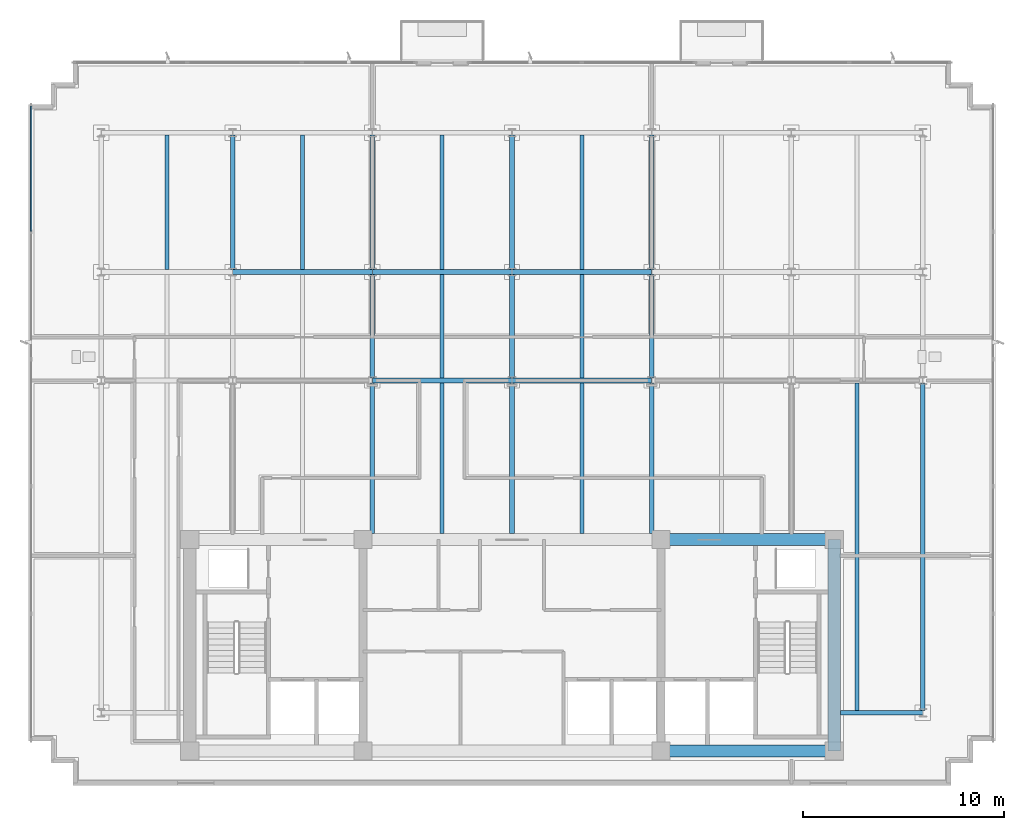
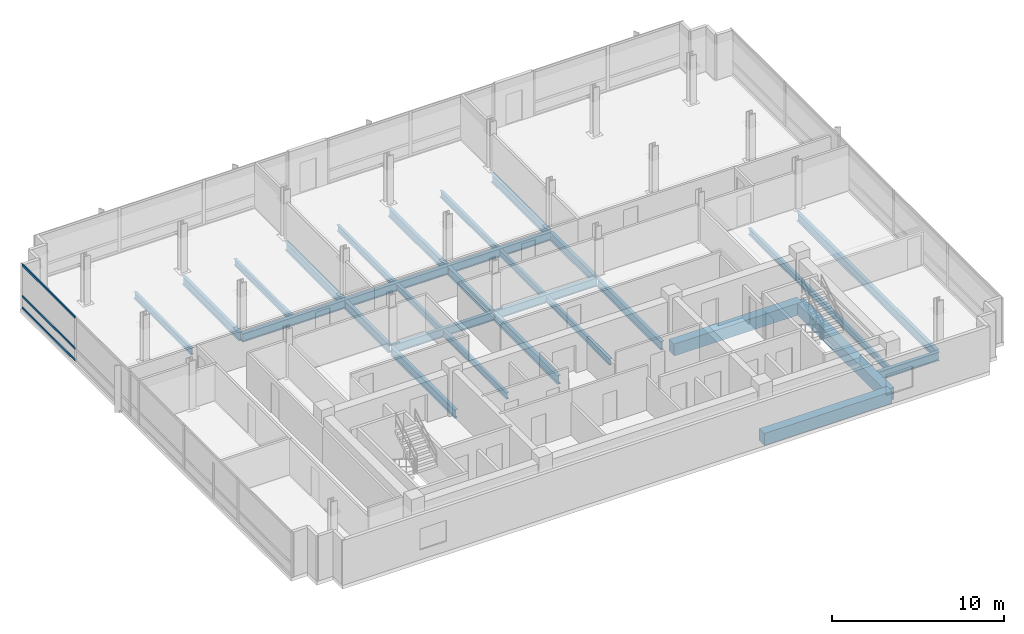
# One storey, part 3 of 15: 29 beams, 3 members, 1 element without a shape of its own.
"""IFC4 building model written with IfcOpenShell, lengths in metres."""

import ifcopenshell
import ifcopenshell.guid

model = None  # the IFC model being written
_history = None  # IfcOwnerHistory: only IFC2X3 demands one
_inside = {}  # id of a spatial element -> (the spatial element, [elements in it])
_under = {}  # id of a project, library or spatial element -> (it, [spatial elements below it])
_declared = {}  # id of a project -> (the project, [libraries it declares])
_typed = {}  # id of a type object -> (the type object, [elements of that type])
_made_of = {}  # id of a material, layer set ... -> (it, [elements and type objects made of it])


def new_model(schema):
    """Start an empty IFC model of exactly this schema.

    Asked for "IFC4X3", IfcOpenShell would pick the latest addendum, in which some entities
    have other attributes; the version numbers below select the first issue.
    IFC2X3 requires an IfcOwnerHistory on every rooted entity: one is made here for all.
    """
    global model, _history
    if schema == "IFC4X3":
        model = ifcopenshell.file(schema_version=(4, 3, 0, 0))
    else:
        model = ifcopenshell.file(schema=schema)
    _inside.clear()
    _under.clear()
    _declared.clear()
    _typed.clear()
    _made_of.clear()
    _history = None
    if model.schema == "IFC2X3":
        org = make("IfcOrganization", Name="unknown")
        user = make(
            "IfcPersonAndOrganization",
            ThePerson=make("IfcPerson", FamilyName="unknown"),
            TheOrganization=org,
        )
        app = make(
            "IfcApplication",
            ApplicationDeveloper=org,
            Version="unknown",
            ApplicationFullName="unknown",
            ApplicationIdentifier="unknown",
        )
        _history = make(
            "IfcOwnerHistory",
            OwningUser=user,
            OwningApplication=app,
            ChangeAction="ADDED",
            CreationDate=0,
        )
    return model


def make(cls, **values):
    """One entity of the class cls with the attributes given. An attribute that is None is left unset."""
    return model.create_entity(
        cls, **{name: value for name, value in values.items() if value is not None}
    )


def rooted(cls, **values):
    """An entity with a GlobalId (a new one), such as an element, a storey or a relation."""
    return make(cls, GlobalId=ifcopenshell.guid.new(), OwnerHistory=_history, **values)


def si_unit(unit_type, name, prefix=None):
    """IfcSIUnit, for example si_unit("LENGTHUNIT", "METRE", prefix="MILLI")."""
    return make("IfcSIUnit", UnitType=unit_type, Prefix=prefix, Name=name)


def assignment(units):
    """IfcUnitAssignment: the units of a project."""
    return None if units is None else make("IfcUnitAssignment", Units=units)


def point(xyz):
    """IfcCartesianPoint."""
    return None if xyz is None else make("IfcCartesianPoint", Coordinates=xyz)


def direction(xyz):
    """IfcDirection."""
    return None if xyz is None else make("IfcDirection", DirectionRatios=xyz)


def frame(location, z_axis=None, x_axis=None):
    """IfcAxis2Placement3D, a coordinate frame: its origin and axes. An axis left out is left unset."""
    return make(
        "IfcAxis2Placement3D",
        Location=point(location),
        Axis=direction(z_axis),
        RefDirection=direction(x_axis),
    )


def frame_2d(location, x_axis=None):
    """IfcAxis2Placement2D, a coordinate frame in the plane: its origin and x axis."""
    return make(
        "IfcAxis2Placement2D", Location=point(location), RefDirection=direction(x_axis)
    )


def origin():
    """The frame at (0, 0, 0) with its axes left unset."""
    return frame((0.0, 0.0, 0.0))


def origin_2d():
    """The frame at (0, 0) in the plane with its x axis left unset."""
    return frame_2d((0.0, 0.0))


def place(relative_to, where):
    """IfcLocalPlacement: puts the frame where relative to a parent placement (None: the world)."""
    return make(
        "IfcLocalPlacement", PlacementRelTo=relative_to, RelativePlacement=where
    )


def context(
    kind, dimensions, precision=None, world=None, true_north=None, identifier=None
):
    """IfcGeometricRepresentationContext, for example the 3D "Model" context."""
    return make(
        "IfcGeometricRepresentationContext",
        ContextIdentifier=identifier,
        ContextType=kind,
        CoordinateSpaceDimension=dimensions,
        Precision=precision,
        WorldCoordinateSystem=world,
        TrueNorth=true_north,
    )


def subcontext(parent, identifier, kind, view, scale=None):
    """IfcGeometricRepresentationSubContext, for example "Body" below "Model"."""
    return make(
        "IfcGeometricRepresentationSubContext",
        ContextIdentifier=identifier,
        ContextType=kind,
        ParentContext=parent,
        TargetScale=scale,
        TargetView=view,
    )


def project(units=None, contexts=None):
    """IfcProject with its units and contexts."""
    return rooted(
        "IfcProject",
        Name="project",
        RepresentationContexts=contexts,
        UnitsInContext=assignment(units),
    )


def spatial(cls, under=None, at=None, **own):
    """A site, building, storey or space (cls), placed at a placement, below another one or the project."""
    s = rooted(cls, ObjectPlacement=at, **own)
    if under is not None:
        _under.setdefault(under.id(), (under, []))[1].append(s)
    return s


def profile(cls, at=None, kind="AREA", **sizes):
    """A parametric profile (cls). Its sizes go by their IFC names, for example OverallWidth=200.0."""
    return make(cls, ProfileType=kind, Position=at, **sizes)


def rectangle(**sizes):
    """IfcRectangleProfileDef."""
    return profile("IfcRectangleProfileDef", **sizes)


def i_section(**sizes):
    """IfcIShapeProfileDef."""
    return profile("IfcIShapeProfileDef", **sizes)


def extrude(swept, where, along, depth):
    """IfcExtrudedAreaSolid: the profile swept, set in the frame where, extruded along a direction by depth."""
    return make(
        "IfcExtrudedAreaSolid",
        SweptArea=swept,
        Position=where,
        ExtrudedDirection=direction(along),
        Depth=depth,
    )


def shape(context_of_items, identifier, shape_type, items):
    """IfcShapeRepresentation: the items that make up one representation, for example the "Body"."""
    return make(
        "IfcShapeRepresentation",
        ContextOfItems=context_of_items,
        RepresentationIdentifier=identifier,
        RepresentationType=shape_type,
        Items=items,
    )


def material(Name=None, Category=None):
    """IfcMaterial."""
    return make("IfcMaterial", Name=Name, Category=Category)


def material_profile(
    of_material, cross_section, Name=None, Category=None, Priority=None
):
    """IfcMaterialProfile: a cross section and its material."""
    return make(
        "IfcMaterialProfile",
        Name=Name,
        Material=of_material,
        Profile=cross_section,
        Priority=Priority,
        Category=Category,
    )


def profile_set(profiles, Name=None, composite=None):
    """IfcMaterialProfileSet."""
    return make(
        "IfcMaterialProfileSet",
        Name=Name,
        MaterialProfiles=profiles,
        CompositeProfile=composite,
    )


def made_of(thing, what):
    """Note that an element or type object is made of a material, layer set ...; save() writes the relation."""
    if what is not None:
        _made_of.setdefault(what.id(), (what, []))[1].append(thing)
    return thing


def type_object(cls, material=None, **own):
    """A type object (cls), such as IfcWallType, which elements share."""
    return made_of(rooted(cls, **own), material)


def element(
    cls,
    number,
    at=None,
    inside=None,
    cuts=None,
    type_object=None,
    material=None,
    context=None,
    identifier="Body",
    shape_type=None,
    held_by="IfcProductDefinitionShape",
    body=None,
    shapes=None,
    **own,
):
    """One element of the class cls, such as IfcWall. Its Tag is "e" and its number.

    at: its placement. inside: the storey or other place that contains it. cuts: it is an
    opening in that element (IfcRelVoidsElement). A single representation is given by context,
    identifier, shape_type and body (its items); several are given by shapes. held_by: the class
    of the entity that holds the representations. save() writes the other relations.
    """
    e = rooted(cls, Tag="e%d" % number, ObjectPlacement=at, **own)
    if body is not None:
        shapes = [shape(context, identifier, shape_type, body)]
    if shapes is not None:
        e.Representation = make(held_by, Representations=shapes)
    if inside is not None:
        _inside.setdefault(inside.id(), (inside, []))[1].append(e)
    if cuts is not None:
        rooted(
            "IfcRelVoidsElement", RelatingBuildingElement=cuts, RelatedOpeningElement=e
        )
    if type_object is not None:
        _typed.setdefault(type_object.id(), (type_object, []))[1].append(e)
    return made_of(e, material)


def aggregate(whole, parts):
    """IfcRelAggregates: a whole, such as a stair, and the parts it consists of."""
    return rooted("IfcRelAggregates", RelatingObject=whole, RelatedObjects=parts)


def save(model, path):
    """Write the relations noted so far, then the file.

    IfcRelAggregates (storeys below a building ...), IfcRelContainedInSpatialStructure (elements
    in a storey), IfcRelDefinesByType, IfcRelAssociatesMaterial and IfcRelDeclares: one each for
    every whole, place, type object, material and project.
    """
    for whole, parts in _under.values():
        aggregate(whole, parts)
    for where, things in _inside.values():
        rooted(
            "IfcRelContainedInSpatialStructure",
            RelatedElements=things,
            RelatingStructure=where,
        )
    for kind, things in _typed.values():
        rooted("IfcRelDefinesByType", RelatedObjects=things, RelatingType=kind)
    for what, things in _made_of.values():
        rooted("IfcRelAssociatesMaterial", RelatedObjects=things, RelatingMaterial=what)
    for by, libraries in _declared.values():
        rooted("IfcRelDeclares", RelatingContext=by, RelatedDefinitions=libraries)
    model.write(path)


model = new_model("IFC4")

# Units and contexts
model_context = context("Model", 3, precision=1e-05, world=origin(), true_north=direction((0.0, 1.0)))
body_context = subcontext(model_context, "Body", "Model", "MODEL_VIEW")
ifc_project = project(units=[si_unit("LENGTHUNIT", "METRE"), si_unit("AREAUNIT", "SQUARE_METRE"), si_unit("VOLUMEUNIT", "CUBIC_METRE"), si_unit("PLANEANGLEUNIT", "RADIAN"), si_unit("MASSUNIT", "GRAM", prefix="KILO")], contexts=[model_context])

# Site, building, storey
site_placement = place(None, origin())
site = spatial("IfcSite", under=ifc_project, at=site_placement, CompositionType="ELEMENT")
building_placement = place(site_placement, origin())
building = spatial("IfcBuilding", under=site, at=building_placement, Name="Solmavex Isthmus Hotel", CompositionType="ELEMENT")
storey_placement = place(building_placement, frame((0.0, 0.0, 273.0)))
storey = spatial("IfcBuildingStorey", under=building, at=storey_placement, Name="L74", CompositionType="ELEMENT", Elevation=273.0)

# Beams
ifc_material_1 = material(Name="Steel ASTM A992 Grade 50", Category="steel")
ifc_material_profile_1 = material_profile(ifc_material_1, i_section(OverallWidth=0.1904296875, OverallDepth=0.456787109375, WebThickness=0.009033203125, FlangeThickness=0.014404296875, FilletRadius=0.0126953125, at=origin_2d()), Name="W18X50")
ifc_profile_set_1 = profile_set([ifc_material_profile_1], Name="Steel ASTM A992 Grade 50")
beam_type_1 = type_object("IfcBeamType", Name="BM-BJ-W18X50", PredefinedType="JOIST", material=ifc_profile_set_1)
for number, where, z_axis, x_axis, name in (
    (1, (-17.135986328125, 10.90185546875, -0.488525390625), (0.0, 1.0, 0.0), (-1.0, 0.0, 0.0), "Secondary Floor Joist L74-J03"),
    (2, (-10.404052734375, 10.90185546875, -0.488525390625), (0.0, 1.0, 0.0), (-1.0, 0.0, 0.0), "Secondary Floor Joist L74-J06"),
):
    element("IfcBeam", number, at=place(storey_placement, frame(where, z_axis=z_axis, x_axis=x_axis)), inside=storey, type_object=beam_type_1, Name=name, PredefinedType="JOIST", context=body_context, shape_type="SweptSolid", body=[
        extrude(i_section(OverallWidth=0.1904296875, OverallDepth=0.456787109375, WebThickness=0.009033203125, FlangeThickness=0.014404296875, FilletRadius=0.0126953125, at=origin_2d()), origin(), (0.0, 0.0, 1.0), 6.682861328125),
    ])
beam_1_placement = place(storey_placement, frame((-3.468017578125, -2.199951171875, -0.488525390625), z_axis=(0.0, 1.0, 0.0), x_axis=(-1.0, 0.0, 0.0)))
element("IfcBeam", 3, at=beam_1_placement, inside=storey, type_object=beam_type_1, Name="Secondary Floor Joist L74-J07", PredefinedType="JOIST", context=body_context, shape_type="SweptSolid", body=[
    extrude(i_section(OverallWidth=0.1904296875, OverallDepth=0.456787109375, WebThickness=0.009033203125, FlangeThickness=0.014404296875, FilletRadius=0.0126953125, at=origin_2d()), origin(), (0.0, 0.0, 1.0), 7.486083984375),
])
beam_2_placement = place(storey_placement, frame((-3.468017578125, 5.513916015625, -0.488525390625), z_axis=(0.0, 1.0, 0.0), x_axis=(-1.0, 0.0, 0.0)))
element("IfcBeam", 4, at=beam_2_placement, inside=storey, type_object=beam_type_1, Name="Secondary Floor Joist L74-J08", PredefinedType="JOIST", context=body_context, shape_type="SweptSolid", body=[
    extrude(i_section(OverallWidth=0.1904296875, OverallDepth=0.456787109375, WebThickness=0.009033203125, FlangeThickness=0.014404296875, FilletRadius=0.0126953125, at=origin_2d()), origin(), (0.0, 0.0, 1.0), 5.16015625),
])
beam_3_placement = place(storey_placement, frame((-3.468017578125, 10.90185546875, -0.488525390625), z_axis=(0.0, 1.0, 0.0), x_axis=(-1.0, 0.0, 0.0)))
element("IfcBeam", 5, at=beam_3_placement, inside=storey, type_object=beam_type_1, Name="Secondary Floor Joist L74-J09", PredefinedType="JOIST", context=body_context, shape_type="SweptSolid", body=[
    extrude(i_section(OverallWidth=0.1904296875, OverallDepth=0.456787109375, WebThickness=0.009033203125, FlangeThickness=0.014404296875, FilletRadius=0.0126953125, at=origin_2d()), origin(), (0.0, 0.0, 1.0), 6.682861328125),
])
beam_4_placement = place(storey_placement, frame((3.468017578125, -2.199951171875, -0.488525390625), z_axis=(0.0, 1.0, 0.0), x_axis=(-1.0, 0.0, 0.0)))
element("IfcBeam", 6, at=beam_4_placement, inside=storey, type_object=beam_type_1, Name="Secondary Floor Joist L74-J10", PredefinedType="JOIST", context=body_context, shape_type="SweptSolid", body=[
    extrude(i_section(OverallWidth=0.1904296875, OverallDepth=0.456787109375, WebThickness=0.009033203125, FlangeThickness=0.014404296875, FilletRadius=0.0126953125, at=origin_2d()), origin(), (0.0, 0.0, 1.0), 7.486083984375),
])
beam_5_placement = place(storey_placement, frame((3.468017578125, 5.513916015625, -0.488525390625), z_axis=(0.0, 1.0, 0.0), x_axis=(-1.0, 0.0, 0.0)))
element("IfcBeam", 7, at=beam_5_placement, inside=storey, type_object=beam_type_1, Name="Secondary Floor Joist L74-J11", PredefinedType="JOIST", context=body_context, shape_type="SweptSolid", body=[
    extrude(i_section(OverallWidth=0.1904296875, OverallDepth=0.456787109375, WebThickness=0.009033203125, FlangeThickness=0.014404296875, FilletRadius=0.0126953125, at=origin_2d()), origin(), (0.0, 0.0, 1.0), 5.16015625),
])
beam_6_placement = place(storey_placement, frame((3.468017578125, 10.90185546875, -0.488525390625), z_axis=(0.0, 1.0, 0.0), x_axis=(-1.0, 0.0, 0.0)))
element("IfcBeam", 8, at=beam_6_placement, inside=storey, type_object=beam_type_1, Name="Secondary Floor Joist L74-J12", PredefinedType="JOIST", context=body_context, shape_type="SweptSolid", body=[
    extrude(i_section(OverallWidth=0.1904296875, OverallDepth=0.456787109375, WebThickness=0.009033203125, FlangeThickness=0.014404296875, FilletRadius=0.0126953125, at=origin_2d()), origin(), (0.0, 0.0, 1.0), 6.682861328125),
])
beam_7_placement = place(storey_placement, frame((17.135986328125, -10.98486328125, -0.488525390625), z_axis=(0.0, 1.0, 0.0), x_axis=(-1.0, 0.0, 0.0)))
element("IfcBeam", 9, at=beam_7_placement, inside=storey, type_object=beam_type_1, Name="Secondary Floor Joist L74-J16", PredefinedType="JOIST", context=body_context, shape_type="SweptSolid", body=[
    extrude(i_section(OverallWidth=0.1904296875, OverallDepth=0.456787109375, WebThickness=0.009033203125, FlangeThickness=0.014404296875, FilletRadius=0.0126953125, at=origin_2d()), origin(), (0.0, 0.0, 1.0), 16.27099609375),
])
ifc_material_profile_2 = material_profile(ifc_material_1, i_section(OverallWidth=0.227783203125, OverallDepth=0.602783203125, WebThickness=0.010498046875, FlangeThickness=0.014892578125, FilletRadius=0.01513671875, at=origin_2d()), Name="W24X68")
ifc_profile_set_2 = profile_set([ifc_material_profile_2], Name="Steel ASTM A992 Grade 50")
beam_type_2 = type_object("IfcBeamType", Name="BM-BM-W24X68", PredefinedType="BEAM", material=ifc_profile_set_2)
for number, where, z_axis, x_axis, name in (
    (10, (-6.93603515625, 5.39990234375, -0.561279296875), (1.0, 0.0, 0.0), (0.0, 1.0, 0.0), "Floor Girder L74-UG05"),
    (11, (0.0, 5.39990234375, -0.561279296875), (1.0, 0.0, 0.0), (0.0, 1.0, 0.0), "Floor Girder L74-UG06"),
    (12, (-13.8720703125, 10.7880859375, -0.561279296875), (1.0, 0.0, 0.0), (0.0, 1.0, 0.0), "Floor Girder L74-UG10"),
    (13, (-6.93603515625, 10.7880859375, -0.561279296875), (1.0, 0.0, 0.0), (0.0, 1.0, 0.0), "Floor Girder L74-UG11"),
    (14, (0.0, 10.7880859375, -0.561279296875), (1.0, 0.0, 0.0), (0.0, 1.0, 0.0), "Floor Girder L74-UG12"),
):
    element("IfcBeam", number, at=place(storey_placement, frame(where, z_axis=z_axis, x_axis=x_axis)), inside=storey, type_object=beam_type_2, Name=name, PredefinedType="BEAM", context=body_context, shape_type="SweptSolid", body=[
        extrude(i_section(OverallWidth=0.227783203125, OverallDepth=0.602783203125, WebThickness=0.010498046875, FlangeThickness=0.014892578125, FilletRadius=0.01513671875, at=origin_2d()), origin(), (0.0, 0.0, 1.0), 6.93603515625),
    ])
beam_8_placement = place(storey_placement, frame((-13.8720703125, 10.90185546875, -0.561279296875), z_axis=(0.0, 1.0, 0.0), x_axis=(-1.0, 0.0, 0.0)))
element("IfcBeam", 15, at=beam_8_placement, inside=storey, type_object=beam_type_2, Name="Floor Beam L74-VG26", PredefinedType="BEAM", context=body_context, shape_type="SweptSolid", body=[
    extrude(i_section(OverallWidth=0.227783203125, OverallDepth=0.602783203125, WebThickness=0.010498046875, FlangeThickness=0.014892578125, FilletRadius=0.01513671875, at=origin_2d()), origin(), (0.0, 0.0, 1.0), 6.682861328125),
])
beam_9_placement = place(storey_placement, frame((-6.93603515625, -2.199951171875, -0.561279296875), z_axis=(0.0, 1.0, 0.0), x_axis=(-1.0, 0.0, 0.0)))
element("IfcBeam", 16, at=beam_9_placement, inside=storey, type_object=beam_type_2, Name="Floor Beam L74-VG27", PredefinedType="BEAM", context=body_context, shape_type="SweptSolid", body=[
    extrude(i_section(OverallWidth=0.227783203125, OverallDepth=0.602783203125, WebThickness=0.010498046875, FlangeThickness=0.014892578125, FilletRadius=0.01513671875, at=origin_2d()), origin(), (0.0, 0.0, 1.0), 7.486083984375),
])
beam_10_placement = place(storey_placement, frame((-6.93603515625, 5.513916015625, -0.561279296875), z_axis=(0.0, 1.0, 0.0), x_axis=(-1.0, 0.0, 0.0)))
element("IfcBeam", 17, at=beam_10_placement, inside=storey, type_object=beam_type_2, Name="Floor Beam L74-VG28", PredefinedType="BEAM", context=body_context, shape_type="SweptSolid", body=[
    extrude(i_section(OverallWidth=0.227783203125, OverallDepth=0.602783203125, WebThickness=0.010498046875, FlangeThickness=0.014892578125, FilletRadius=0.01513671875, at=origin_2d()), origin(), (0.0, 0.0, 1.0), 5.16015625),
])
beam_11_placement = place(storey_placement, frame((-6.93603515625, 10.90185546875, -0.561279296875), z_axis=(0.0, 1.0, 0.0), x_axis=(-1.0, 0.0, 0.0)))
element("IfcBeam", 18, at=beam_11_placement, inside=storey, type_object=beam_type_2, Name="Floor Beam L74-VG29", PredefinedType="BEAM", context=body_context, shape_type="SweptSolid", body=[
    extrude(i_section(OverallWidth=0.227783203125, OverallDepth=0.602783203125, WebThickness=0.010498046875, FlangeThickness=0.014892578125, FilletRadius=0.01513671875, at=origin_2d()), origin(), (0.0, 0.0, 1.0), 6.682861328125),
])
beam_12_placement = place(storey_placement, frame((0.0, -2.199951171875, -0.561279296875), z_axis=(0.0, 1.0, 0.0), x_axis=(-1.0, 0.0, 0.0)))
element("IfcBeam", 19, at=beam_12_placement, inside=storey, type_object=beam_type_2, Name="Floor Beam L74-VG30", PredefinedType="BEAM", context=body_context, shape_type="SweptSolid", body=[
    extrude(i_section(OverallWidth=0.227783203125, OverallDepth=0.602783203125, WebThickness=0.010498046875, FlangeThickness=0.014892578125, FilletRadius=0.01513671875, at=origin_2d()), origin(), (0.0, 0.0, 1.0), 7.486083984375),
])
beam_13_placement = place(storey_placement, frame((0.0, 5.513916015625, -0.561279296875), z_axis=(0.0, 1.0, 0.0), x_axis=(-1.0, 0.0, 0.0)))
element("IfcBeam", 20, at=beam_13_placement, inside=storey, type_object=beam_type_2, Name="Floor Beam L74-VG31", PredefinedType="BEAM", context=body_context, shape_type="SweptSolid", body=[
    extrude(i_section(OverallWidth=0.227783203125, OverallDepth=0.602783203125, WebThickness=0.010498046875, FlangeThickness=0.014892578125, FilletRadius=0.01513671875, at=origin_2d()), origin(), (0.0, 0.0, 1.0), 5.16015625),
])
beam_14_placement = place(storey_placement, frame((0.0, 10.90185546875, -0.561279296875), z_axis=(0.0, 1.0, 0.0), x_axis=(-1.0, 0.0, 0.0)))
element("IfcBeam", 21, at=beam_14_placement, inside=storey, type_object=beam_type_2, Name="Floor Beam L74-VG32", PredefinedType="BEAM", context=body_context, shape_type="SweptSolid", body=[
    extrude(i_section(OverallWidth=0.227783203125, OverallDepth=0.602783203125, WebThickness=0.010498046875, FlangeThickness=0.014892578125, FilletRadius=0.01513671875, at=origin_2d()), origin(), (0.0, 0.0, 1.0), 6.682861328125),
])
beam_15_placement = place(storey_placement, frame((6.93603515625, -2.199951171875, -0.561279296875), z_axis=(0.0, 1.0, 0.0), x_axis=(-1.0, 0.0, 0.0)))
element("IfcBeam", 22, at=beam_15_placement, inside=storey, type_object=beam_type_2, Name="Floor Beam L74-VG33", PredefinedType="BEAM", context=body_context, shape_type="SweptSolid", body=[
    extrude(i_section(OverallWidth=0.227783203125, OverallDepth=0.602783203125, WebThickness=0.010498046875, FlangeThickness=0.014892578125, FilletRadius=0.01513671875, at=origin_2d()), origin(), (0.0, 0.0, 1.0), 7.486083984375),
])
beam_16_placement = place(storey_placement, frame((6.93603515625, 5.513916015625, -0.561279296875), z_axis=(0.0, 1.0, 0.0), x_axis=(-1.0, 0.0, 0.0)))
element("IfcBeam", 23, at=beam_16_placement, inside=storey, type_object=beam_type_2, Name="Floor Beam L74-VG34", PredefinedType="BEAM", context=body_context, shape_type="SweptSolid", body=[
    extrude(i_section(OverallWidth=0.227783203125, OverallDepth=0.602783203125, WebThickness=0.010498046875, FlangeThickness=0.014892578125, FilletRadius=0.01513671875, at=origin_2d()), origin(), (0.0, 0.0, 1.0), 5.16015625),
])
beam_17_placement = place(storey_placement, frame((6.93603515625, 10.90185546875, -0.561279296875), z_axis=(0.0, 1.0, 0.0), x_axis=(-1.0, 0.0, 0.0)))
element("IfcBeam", 24, at=beam_17_placement, inside=storey, type_object=beam_type_2, Name="Floor Beam L74-VG35", PredefinedType="BEAM", context=body_context, shape_type="SweptSolid", body=[
    extrude(i_section(OverallWidth=0.227783203125, OverallDepth=0.602783203125, WebThickness=0.010498046875, FlangeThickness=0.014892578125, FilletRadius=0.01513671875, at=origin_2d()), origin(), (0.0, 0.0, 1.0), 6.682861328125),
])
ifc_material_2 = material(Name="Concrete C50/60", Category="concrete")
ifc_material_profile_3 = material_profile(ifc_material_2, rectangle(XDim=0.60009765625, YDim=0.85009765625, at=origin_2d()), Name="RC600X850")
ifc_profile_set_3 = profile_set([ifc_material_profile_3], Name="Concrete C50/60")
beam_type_3 = type_object("IfcBeamType", Name="BM-CB-600X850", PredefinedType="BEAM", material=ifc_profile_set_3)
for number, where, z_axis, x_axis, name in (
    (25, (7.39990234375, -13.0, -0.68505859375), (1.0, 0.0, 0.0), (0.0, 1.0, 0.0), "Core Coupling Beam L74-CB3"),
    (26, (7.39990234375, -2.5, -0.68505859375), (1.0, 0.0, 0.0), (0.0, 1.0, 0.0), "Core Coupling Beam L74-CB6"),
):
    element("IfcBeam", number, at=place(storey_placement, frame(where, z_axis=z_axis, x_axis=x_axis)), inside=storey, type_object=beam_type_3, Name=name, PredefinedType="BEAM", context=body_context, shape_type="SweptSolid", body=[
        extrude(rectangle(XDim=0.60009765625, YDim=0.85009765625, at=origin_2d()), origin(), (0.0, 0.0, 1.0), 8.60009765625),
    ])
beam_18_placement = place(storey_placement, frame((16.0, -13.0, -0.68505859375), z_axis=(0.0, 1.0, 0.0), x_axis=(-1.0, 0.0, 0.0)))
element("IfcBeam", 27, at=beam_18_placement, inside=storey, type_object=beam_type_3, Name="Core Coupling Beam L74-CB8", PredefinedType="BEAM", context=body_context, shape_type="SweptSolid", body=[
    extrude(rectangle(XDim=0.60009765625, YDim=0.85009765625, at=origin_2d()), origin(), (0.0, 0.0, 1.0), 10.5),
])
ifc_material_profile_4 = material_profile(ifc_material_1, i_section(OverallWidth=0.230224609375, OverallDepth=0.617431640625, WebThickness=0.01318359375, FlangeThickness=0.022216796875, FilletRadius=0.01513671875, at=origin_2d()), Name="W24X94")
ifc_profile_set_4 = profile_set([ifc_material_profile_4], Name="Steel ASTM A992 Grade 50")
beam_type_4 = type_object("IfcBeamType", Name="BM-SP-W24X94", PredefinedType="SPANDREL", material=ifc_profile_set_4)
beam_19_placement = place(storey_placement, frame((16.300048828125, -11.10009765625, -0.56884765625), z_axis=(1.0, 0.0, 0.0), x_axis=(0.0, 1.0, 0.0)))
element("IfcBeam", 28, at=beam_19_placement, inside=storey, type_object=beam_type_4, Name="Floor Girder L74-UG02", PredefinedType="SPANDREL", context=body_context, shape_type="SweptSolid", body=[
    extrude(i_section(OverallWidth=0.230224609375, OverallDepth=0.617431640625, WebThickness=0.01318359375, FlangeThickness=0.022216796875, FilletRadius=0.01513671875, at=origin_2d()), origin(), (0.0, 0.0, 1.0), 4.099853515625),
])
beam_20_placement = place(storey_placement, frame((20.39990234375, -10.98486328125, -0.56884765625), z_axis=(0.0, 1.0, 0.0), x_axis=(-1.0, 0.0, 0.0)))
element("IfcBeam", 29, at=beam_20_placement, inside=storey, type_object=beam_type_4, Name="Floor Beam L74-VG39", PredefinedType="SPANDREL", context=body_context, shape_type="SweptSolid", body=[
    extrude(i_section(OverallWidth=0.230224609375, OverallDepth=0.617431640625, WebThickness=0.01318359375, FlangeThickness=0.022216796875, FilletRadius=0.01513671875, at=origin_2d()), origin(), (0.0, 0.0, 1.0), 16.27099609375),
])

# Curtain wall, members
ifc_material_3 = material(Name="Aluminium alloy 6063-T6", Category="aluminium")
curtain_wall_type = type_object("IfcCurtainWallType", Name="CW-SYS-04", PredefinedType="NOTDEFINED", material=ifc_material_3)
curtain_wall_placement = place(storey_placement, origin())
curtain_wall = element("IfcCurtainWall", 30, at=curtain_wall_placement, inside=storey, type_object=curtain_wall_type, Name="Stick Curtain Wall CWL-L74-W1", PredefinedType="NOTDEFINED")
ifc_material_profile_5 = material_profile(ifc_material_3, rectangle(XDim=0.074951171875, YDim=0.14990234375, at=origin_2d()), Name="CWT-75X150")
ifc_profile_set_5 = profile_set([ifc_material_profile_5], Name="Aluminium alloy 6063-T6")
member_type = type_object("IfcMemberType", Name="CW-SYS-04-TRN", PredefinedType="USERDEFINED", material=ifc_profile_set_5)
member_1_placement = place(storey_placement, frame((-23.8798828125, 12.8173828125, 0.074951171875), z_axis=(0.0, 1.0, 0.0), x_axis=(-1.0, 0.0, 0.0)))
member_1 = element("IfcMember", 31, at=member_1_placement, type_object=member_type, Name="CW-04 transom 5.1", ObjectType="TRANSOM", PredefinedType="USERDEFINED", context=body_context, shape_type="SweptSolid", body=[
    extrude(rectangle(XDim=0.074951171875, YDim=0.14990234375, at=origin_2d()), origin(), (0.0, 0.0, 1.0), 6.20751953125),
])
member_2_placement = place(storey_placement, frame((-23.8798828125, 12.8173828125, 0.89990234375), z_axis=(0.0, 1.0, 0.0), x_axis=(-1.0, 0.0, 0.0)))
member_2 = element("IfcMember", 32, at=member_2_placement, type_object=member_type, Name="CW-04 transom 5.2", ObjectType="TRANSOM", PredefinedType="USERDEFINED", context=body_context, shape_type="SweptSolid", body=[
    extrude(rectangle(XDim=0.074951171875, YDim=0.14990234375, at=origin_2d()), origin(), (0.0, 0.0, 1.0), 6.20751953125),
])
member_3_placement = place(storey_placement, frame((-23.8798828125, 12.8173828125, 3.114990234375), z_axis=(0.0, 1.0, 0.0), x_axis=(-1.0, 0.0, 0.0)))
member_3 = element("IfcMember", 33, at=member_3_placement, type_object=member_type, Name="CW-04 transom 5.3", ObjectType="TRANSOM", PredefinedType="USERDEFINED", context=body_context, shape_type="SweptSolid", body=[
    extrude(rectangle(XDim=0.074951171875, YDim=0.14990234375, at=origin_2d()), origin(), (0.0, 0.0, 1.0), 6.20751953125),
])
aggregate(curtain_wall, [member_1, member_2, member_3])

save(model, "model.ifc")
